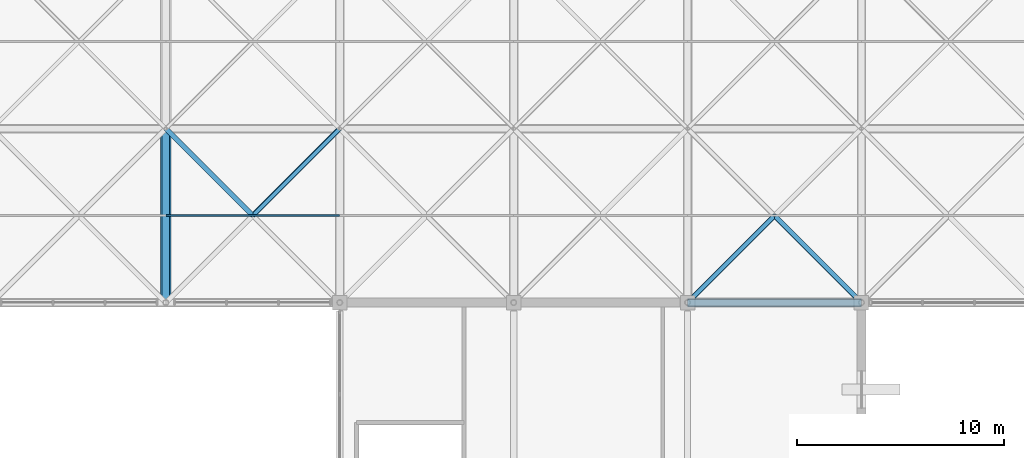
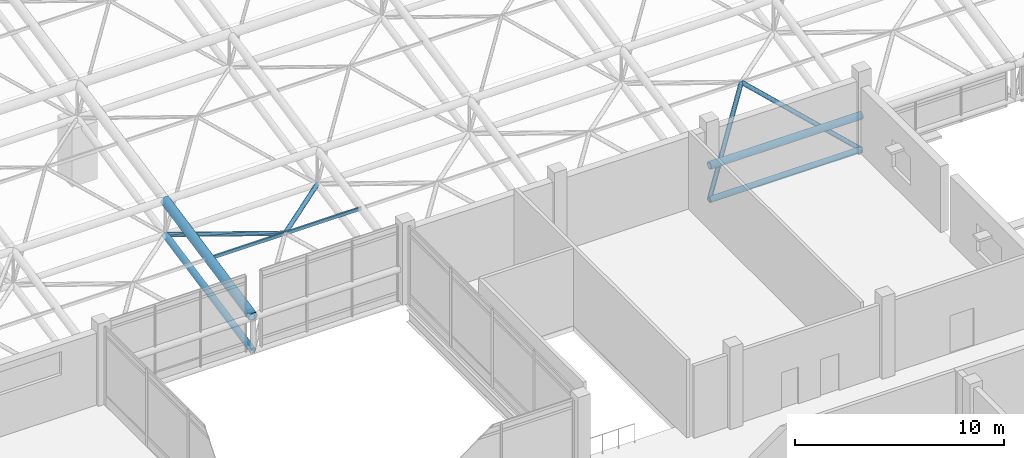
# One storey, part 27 of 110: 9 members.
"""IFC4 building model written with IfcOpenShell, lengths in metres."""

from ifc_helpers import new_model, si_unit, direction, frame, origin, origin_2d, place, context, subcontext, project, spatial, hollow_rectangle, hollow_circle, extrude, material, material_profile, profile_set, type_object, element, save


model = new_model("IFC4")

# Units and contexts
model_context = context("Model", 3, precision=1e-05, world=origin(), true_north=direction((0.0, 1.0)))
body_context = subcontext(model_context, "Body", "Model", "MODEL_VIEW")
ifc_project = project(units=[si_unit("LENGTHUNIT", "METRE"), si_unit("AREAUNIT", "SQUARE_METRE"), si_unit("VOLUMEUNIT", "CUBIC_METRE"), si_unit("PLANEANGLEUNIT", "RADIAN"), si_unit("MASSUNIT", "GRAM", prefix="KILO")], contexts=[model_context])

# Site, building, storey
site_placement = place(None, origin())
site = spatial("IfcSite", under=ifc_project, at=site_placement, CompositionType="ELEMENT")
building_placement = place(site_placement, origin())
building = spatial("IfcBuilding", under=site, at=building_placement, Name="Qawsi Khor Wholesale Market", CompositionType="ELEMENT")
storey_placement = place(building_placement, frame((0.0, 0.0, 11.39990234375)))
storey = spatial("IfcBuildingStorey", under=building, at=storey_placement, Name="L02", CompositionType="ELEMENT", Elevation=11.39990234375)

# Members
ifc_material = material(Name="Steel S355", Category="steel")
ifc_material_profile_1 = material_profile(ifc_material, hollow_circle(Radius=0.177734375, WallThickness=0.01611328125, at=origin_2d()), Name="CHS 355.6x16.0")
ifc_profile_set_1 = profile_set([ifc_material_profile_1], Name="Steel S355")
member_type_1 = type_object("IfcMemberType", Name="Space-Frame Bottom Chord CHS 355.6x16.0", PredefinedType="CHORD", material=ifc_profile_set_1)
member_1_placement = place(storey_placement, frame((159.60009765625, 42.0, -0.02978515625), z_axis=(0.0, 0.980129990483, 0.1983562496), x_axis=(-1.0, 0.0, 0.0)))
element("IfcMember", 1, at=member_1_placement, inside=storey, type_object=member_type_1, Name="Space frame bottom chord Y EH (19,5)", PredefinedType="CHORD", context=body_context, shape_type="SweptSolid", body=[
    extrude(hollow_circle(Radius=0.177734375, WallThickness=0.01611328125, at=origin_2d()), origin(), (0.0, 0.0, 1.0), 8.5703125),
])
ifc_material_profile_2 = material_profile(ifc_material, hollow_circle(Radius=0.122314453125, WallThickness=0.012451171875, at=origin_2d()), Name="CHS 244.5x12.5")
ifc_profile_set_2 = profile_set([ifc_material_profile_2], Name="Steel S355")
member_type_2 = type_object("IfcMemberType", Name="Space-Frame Heavy Diagonal CHS 244.5x12.5", PredefinedType="POST", material=ifc_profile_set_2)
for number, where, z_axis, x_axis, name in (
    (2, (168.0, 50.39990234375, 1.670166015625), (-0.694216714393, -0.694216714393, 0.190069216113), (0.707106781187, -0.707106781187, 0.0), "Space frame diagonal EH (19,5)-3"),
    (3, (159.60009765625, 50.39990234375, 1.670166015625), (0.694216714393, -0.694216714393, 0.190069216113), (0.707106781187, 0.707106781187, 0.0), "Space frame diagonal EH (19,5)-4"),
):
    element("IfcMember", number, at=place(storey_placement, frame(where, z_axis=z_axis, x_axis=x_axis)), inside=storey, type_object=member_type_2, Name=name, PredefinedType="POST", context=body_context, shape_type="SweptSolid", body=[
        extrude(hollow_circle(Radius=0.122314453125, WallThickness=0.012451171875, at=origin_2d()), origin(), (0.0, 0.0, 1.0), 6.0498046875),
    ])
for number, where, z_axis, x_axis, name in (
    (4, (184.800048828125, 42.0, -0.02978515625), (0.637521961484, 0.637521961484, 0.432586982294), (-0.707106781187, 0.707106781187, 0.0), "Space frame diagonal EH (22,5)-1"),
    (5, (193.199951171875, 42.0, -0.02978515625), (-0.637521961484, 0.637521961484, 0.432586982294), (-0.707106781187, -0.707106781187, 0.0), "Space frame diagonal EH (22,5)-2"),
):
    element("IfcMember", number, at=place(storey_placement, frame(where, z_axis=z_axis, x_axis=x_axis)), inside=storey, type_object=member_type_2, Name=name, PredefinedType="POST", context=body_context, shape_type="SweptSolid", body=[
        extrude(hollow_circle(Radius=0.122314453125, WallThickness=0.012451171875, at=origin_2d()), origin(), (0.0, 0.0, 1.0), 6.587890625),
    ])
ifc_material_profile_3 = material_profile(ifc_material, hollow_circle(Radius=0.25390625, WallThickness=0.02490234375, at=origin_2d()), Name="CHS 508.0x25.0")
ifc_profile_set_3 = profile_set([ifc_material_profile_3], Name="Steel S355")
member_type_3 = type_object("IfcMemberType", Name="Space-Frame Main Chord CHS 508.0x25.0", PredefinedType="CHORD", material=ifc_profile_set_3)
member_2_placement = place(storey_placement, frame((159.60009765625, 42.0, 1.97021484375), z_axis=(0.0, 0.980129990483, 0.1983562496), x_axis=(-1.0, 0.0, 0.0)))
element("IfcMember", 6, at=member_2_placement, inside=storey, type_object=member_type_3, Name="Space frame top chord Y EH (19,5)", PredefinedType="CHORD", context=body_context, shape_type="SweptSolid", body=[
    extrude(hollow_circle(Radius=0.25390625, WallThickness=0.02490234375, at=origin_2d()), origin(), (0.0, 0.0, 1.0), 8.5703125),
])
ifc_material_profile_4 = material_profile(ifc_material, hollow_rectangle(XDim=0.10009765625, YDim=0.199951171875, WallThickness=0.008056640625, InnerFilletRadius=0.008056640625, OuterFilletRadius=0.01611328125, at=origin_2d()), Name="RHS 200x100x8.0")
ifc_profile_set_4 = profile_set([ifc_material_profile_4], Name="Steel S355")
member_type_4 = type_object("IfcMemberType", Name="Space-Frame Purlin RHS 200x100x8.0", PredefinedType="PURLIN", material=ifc_profile_set_4)
member_3_placement = place(storey_placement, frame((159.60009765625, 46.199951171875, 2.820068359375), z_axis=(1.0, 0.0, 0.0), x_axis=(0.0, 1.0, 0.0)))
element("IfcMember", 7, at=member_3_placement, inside=storey, type_object=member_type_4, Name="Space frame purlin EH (19,5)", PredefinedType="PURLIN", context=body_context, shape_type="SweptSolid", body=[
    extrude(hollow_rectangle(XDim=0.10009765625, YDim=0.199951171875, WallThickness=0.008056640625, InnerFilletRadius=0.008056640625, OuterFilletRadius=0.01611328125, at=origin_2d()), origin(), (0.0, 0.0, 1.0), 8.39990234375),
])
ifc_material_profile_5 = material_profile(ifc_material, hollow_circle(Radius=0.161865234375, WallThickness=0.01611328125, at=origin_2d()), Name="CHS 323.9x16.0")
ifc_profile_set_5 = profile_set([ifc_material_profile_5], Name="Steel S355")
member_type_5 = type_object("IfcMemberType", Name="Space-Frame Secondary Chord CHS 323.9x16.0", PredefinedType="CHORD", material=ifc_profile_set_5)
member_4_placement = place(storey_placement, frame((184.800048828125, 42.0, -0.02978515625), z_axis=(1.0, 0.0, 0.0), x_axis=(0.0, 1.0, 0.0)))
element("IfcMember", 8, at=member_4_placement, inside=storey, type_object=member_type_5, Name="Space frame bottom chord X EH (22,5)", PredefinedType="CHORD", context=body_context, shape_type="SweptSolid", body=[
    extrude(hollow_circle(Radius=0.161865234375, WallThickness=0.01611328125, at=origin_2d()), origin(), (0.0, 0.0, 1.0), 8.39990234375),
])
ifc_material_profile_6 = material_profile(ifc_material, hollow_circle(Radius=0.203125, WallThickness=0.02001953125, at=origin_2d()), Name="CHS 406.4x20.0")
ifc_profile_set_6 = profile_set([ifc_material_profile_6], Name="Steel S355")
member_type_6 = type_object("IfcMemberType", Name="Space-Frame Top Chord CHS 406.4x20.0", PredefinedType="CHORD", material=ifc_profile_set_6)
member_5_placement = place(storey_placement, frame((184.800048828125, 42.0, 1.97021484375), z_axis=(1.0, 0.0, 0.0), x_axis=(0.0, 1.0, 0.0)))
element("IfcMember", 9, at=member_5_placement, inside=storey, type_object=member_type_6, Name="Space frame top chord X EH (22,5)", PredefinedType="CHORD", context=body_context, shape_type="SweptSolid", body=[
    extrude(hollow_circle(Radius=0.203125, WallThickness=0.02001953125, at=origin_2d()), origin(), (0.0, 0.0, 1.0), 8.39990234375),
])

save(model, "model.ifc")
